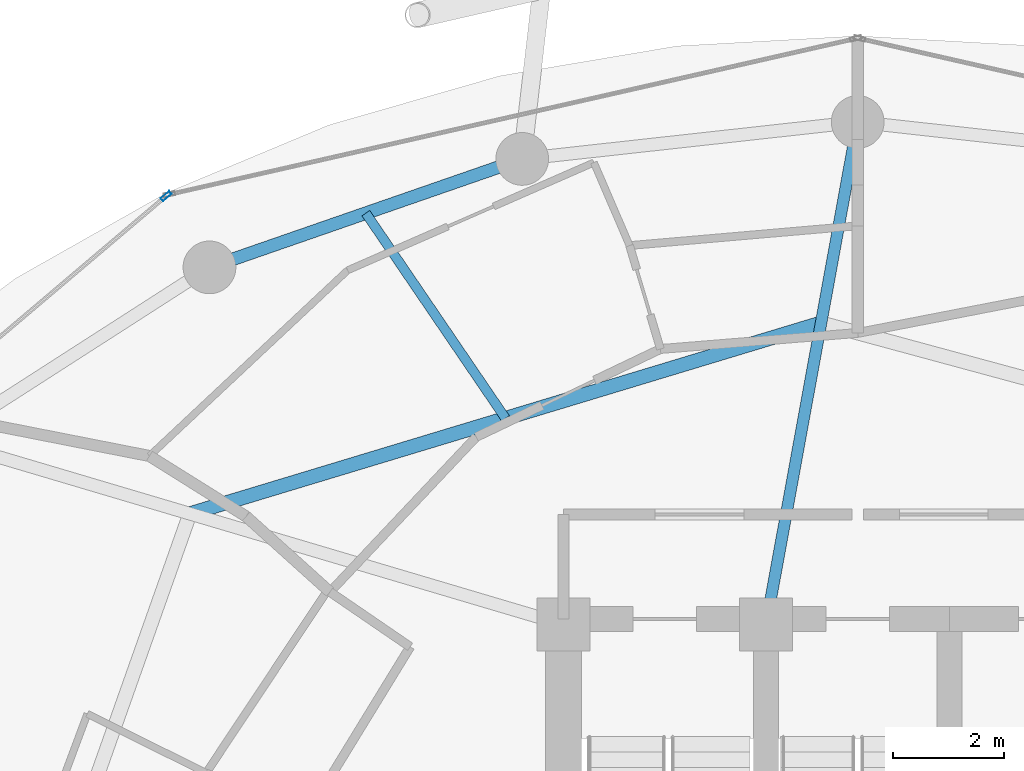
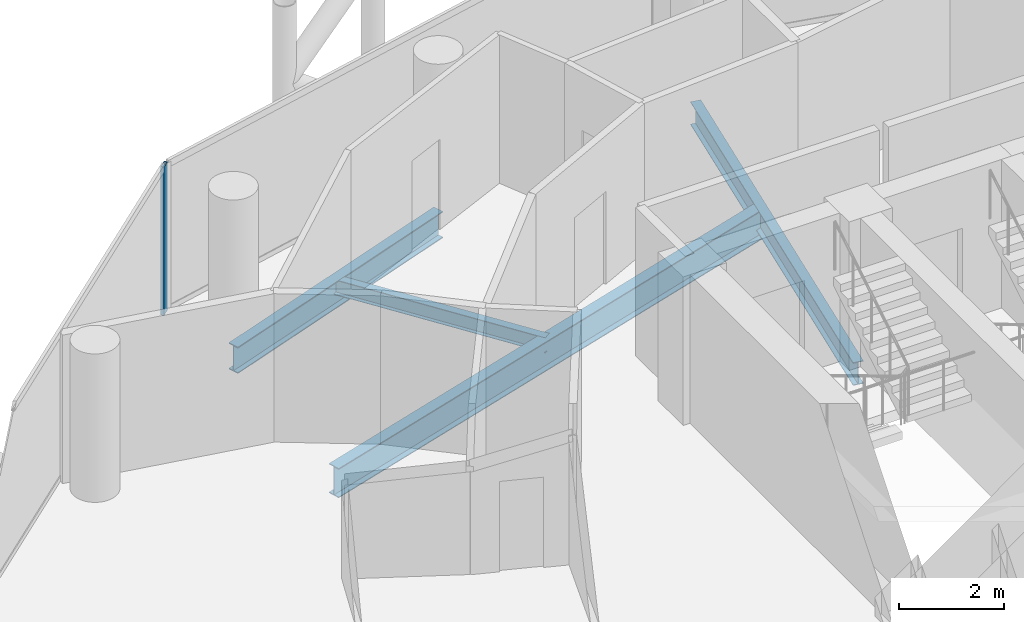
# One storey, part 15 of 26: 4 beams, 1 member, 1 element without a shape of its own.
"""IFC4 building model written with IfcOpenShell, lengths in metres."""

from ifc_helpers import new_model, si_unit, direction, frame, origin, origin_2d, place, context, subcontext, project, spatial, hollow_rectangle, i_section, extrude, material, layer, layer_set, material_profile, profile_set, type_object, element, aggregate, save


model = new_model("IFC4")

# Units and contexts
model_context = context("Model", 3, precision=1e-05, world=origin(), true_north=direction((0.0, 1.0)))
body_context = subcontext(model_context, "Body", "Model", "MODEL_VIEW")
ifc_project = project(units=[si_unit("LENGTHUNIT", "METRE"), si_unit("AREAUNIT", "SQUARE_METRE"), si_unit("VOLUMEUNIT", "CUBIC_METRE"), si_unit("PLANEANGLEUNIT", "RADIAN"), si_unit("MASSUNIT", "GRAM", prefix="KILO")], contexts=[model_context])

# Site, building, storey
site_placement = place(None, origin())
site = spatial("IfcSite", under=ifc_project, at=site_placement, CompositionType="ELEMENT")
building_placement = place(site_placement, origin())
building = spatial("IfcBuilding", under=site, at=building_placement, Name="Nuhasar Tower", CompositionType="ELEMENT")
storey_placement = place(building_placement, frame((0.0, 0.0, 133.050048828125)))
storey = spatial("IfcBuildingStorey", under=building, at=storey_placement, Name="L31", CompositionType="ELEMENT", Elevation=133.050048828125)

# Beams
ifc_material_1 = material(Name="Steel S355", Category="steel")
ifc_material_profile_1 = material_profile(ifc_material_1, i_section(OverallWidth=0.25390625, OverallDepth=0.68408203125, WebThickness=0.012451171875, FlangeThickness=0.018798828125, at=origin_2d()), Name="W27X94")
ifc_profile_set_1 = profile_set([ifc_material_profile_1], Name="Steel S355")
beam_type_1 = type_object("IfcBeamType", Name="BM-INRING-W27X94", PredefinedType="BEAM", material=ifc_profile_set_1)
beam_1_placement = place(storey_placement, frame((38.340087890625, 42.72998046875, -0.592041015625), z_axis=(-0.95722440557, -0.289346569673, 0.0), x_axis=(0.289346569673, -0.95722440557, 0.0)))
element("IfcBeam", 1, at=beam_1_placement, inside=storey, type_object=beam_type_1, Name="L31 Inner Header Beam 06", PredefinedType="BEAM", context=body_context, shape_type="SweptSolid", body=[
    extrude(i_section(OverallWidth=0.25390625, OverallDepth=0.68408203125, WebThickness=0.012451171875, FlangeThickness=0.018798828125, at=origin_2d()), origin(), (0.0, 0.0, 1.0), 11.875244140625),
])
ifc_material_profile_2 = material_profile(ifc_material_1, i_section(OverallWidth=0.1708984375, OverallDepth=0.35205078125, WebThickness=0.0068359375, FlangeThickness=0.009765625, at=origin_2d()), Name="W14X30")
ifc_profile_set_2 = profile_set([ifc_material_profile_2], Name="Steel S355")
beam_type_2 = type_object("IfcBeamType", Name="BM-JST-W14X30", PredefinedType="JOIST", material=ifc_profile_set_2)
beam_2_placement = place(storey_placement, frame((32.656982421875, 41.011962890625, -0.426025390625), z_axis=(-0.562802886474, 0.826591138941, 0.0), x_axis=(-0.826591138941, -0.562802886474, 0.0)))
element("IfcBeam", 2, at=beam_2_placement, inside=storey, type_object=beam_type_2, Name="L31 Secondary Floor Joist 06", PredefinedType="JOIST", context=body_context, shape_type="SweptSolid", body=[
    extrude(i_section(OverallWidth=0.1708984375, OverallDepth=0.35205078125, WebThickness=0.0068359375, FlangeThickness=0.009765625, at=origin_2d()), origin(), (0.0, 0.0, 1.0), 4.47021484375),
])
ifc_material_profile_3 = material_profile(ifc_material_1, i_section(OverallWidth=0.208984375, OverallDepth=0.532958984375, WebThickness=0.01025390625, FlangeThickness=0.015625, at=origin_2d()), Name="W21X62")
ifc_profile_set_3 = profile_set([ifc_material_profile_3], Name="Steel S355")
beam_type_3 = type_object("IfcBeamType", Name="BM-RAD-W21X62", PredefinedType="BEAM", material=ifc_profile_set_3)
beam_3_placement = place(storey_placement, frame((37.35009765625, 37.300048828125, -0.51611328125), z_axis=(0.179352509513, 0.983784873502, 0.0), x_axis=(-0.983784873502, 0.179352509513, 0.0)))
element("IfcBeam", 3, at=beam_3_placement, inside=storey, type_object=beam_type_3, Name="L31 Radial Floor Girder 06", PredefinedType="BEAM", context=body_context, shape_type="SweptSolid", body=[
    extrude(i_section(OverallWidth=0.208984375, OverallDepth=0.532958984375, WebThickness=0.01025390625, FlangeThickness=0.015625, at=origin_2d()), origin(), (0.0, 0.0, 1.0), 9.19921875),
])
ifc_material_profile_4 = material_profile(ifc_material_1, i_section(OverallWidth=0.22998046875, OverallDepth=0.616943359375, WebThickness=0.01318359375, FlangeThickness=0.022216796875, at=origin_2d()), Name="W24X94")
ifc_profile_set_4 = profile_set([ifc_material_profile_4], Name="Steel S355")
beam_type_4 = type_object("IfcBeamType", Name="BM-RING-W24X94", PredefinedType="SPANDREL", material=ifc_profile_set_4)
beam_4_placement = place(storey_placement, frame((32.95703125, 45.68408203125, -0.55810546875), z_axis=(-0.944801380051, -0.327643636066, 0.0), x_axis=(0.327643636066, -0.944801380051, 0.0)))
element("IfcBeam", 4, at=beam_4_placement, inside=storey, type_object=beam_type_4, Name="L31 Perimeter Ring Spandrel 08", PredefinedType="SPANDREL", context=body_context, shape_type="SweptSolid", body=[
    extrude(i_section(OverallWidth=0.22998046875, OverallDepth=0.616943359375, WebThickness=0.01318359375, FlangeThickness=0.022216796875, at=origin_2d()), origin(), (0.0, 0.0, 1.0), 5.961181640625),
])

# Curtain wall, member
ifc_material_2 = material(Name="Aluminium 6063-T6", Category="aluminium")
ifc_layer = layer(ifc_material_2, 0.199951171875)
ifc_layer_set = layer_set([ifc_layer], Name="Aluminium 6063-T6")
curtain_wall_type = type_object("IfcCurtainWallType", Name="CW-Z2-HTL", PredefinedType="NOTDEFINED", material=ifc_layer_set)
curtain_wall_placement = place(storey_placement, origin())
curtain_wall = element("IfcCurtainWall", 5, at=curtain_wall_placement, inside=storey, type_object=curtain_wall_type, Name="L31 Unitised Curtain Wall 05", PredefinedType="NOTDEFINED")
ifc_material_profile_5 = material_profile(ifc_material_2, hollow_rectangle(XDim=0.070068359375, YDim=0.199951171875, WallThickness=0.0048828125, at=origin_2d()), Name="CWM-3")
ifc_profile_set_5 = profile_set([ifc_material_profile_5], Name="Aluminium 6063-T6")
member_type = type_object("IfcMemberType", Name="CW-MUL-S3", PredefinedType="MULLION", material=ifc_profile_set_5)
member_placement = place(storey_placement, frame((26.543212890625, 45.015380859375, 0.0), z_axis=(0.0, 0.0, 1.0), x_axis=(0.646374438324, -0.763020370292, 0.0)))
member = element("IfcMember", 6, at=member_placement, type_object=member_type, Name="CW-Z2 mullion 1", PredefinedType="MULLION", context=body_context, shape_type="SweptSolid", body=[
    extrude(hollow_rectangle(XDim=0.070068359375, YDim=0.199951171875, WallThickness=0.0048828125, at=origin_2d()), origin(), (0.0, 0.0, 1.0), 3.449951171875),
])
aggregate(curtain_wall, [member])

save(model, "model.ifc")
